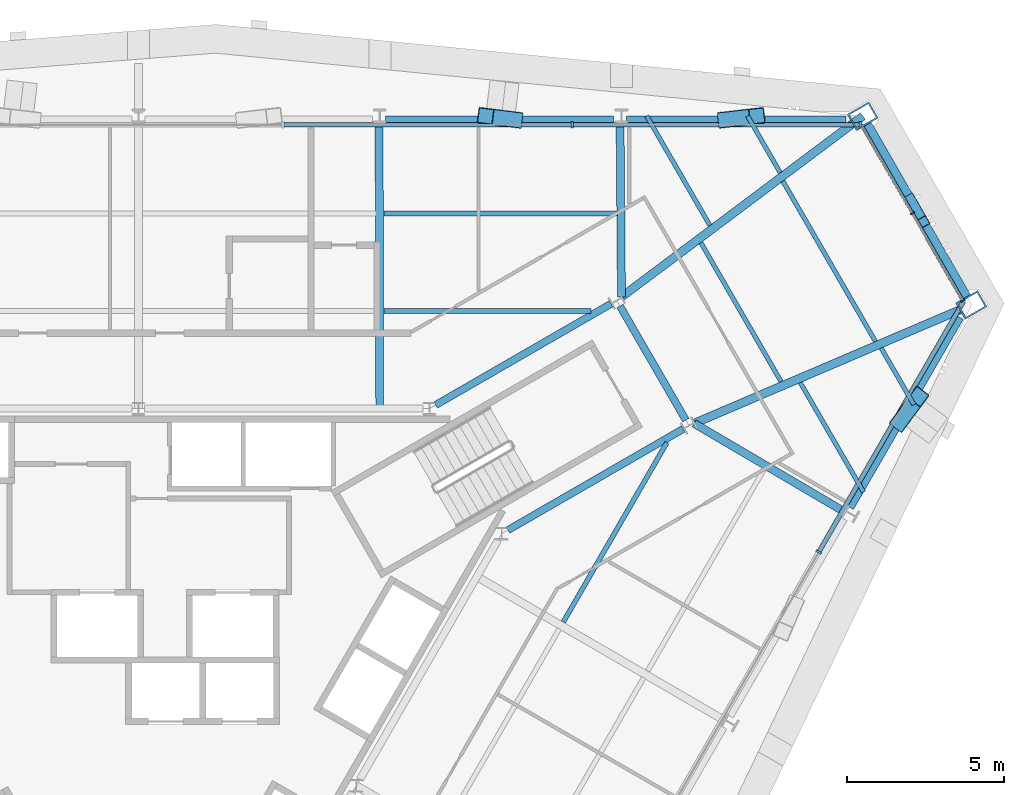
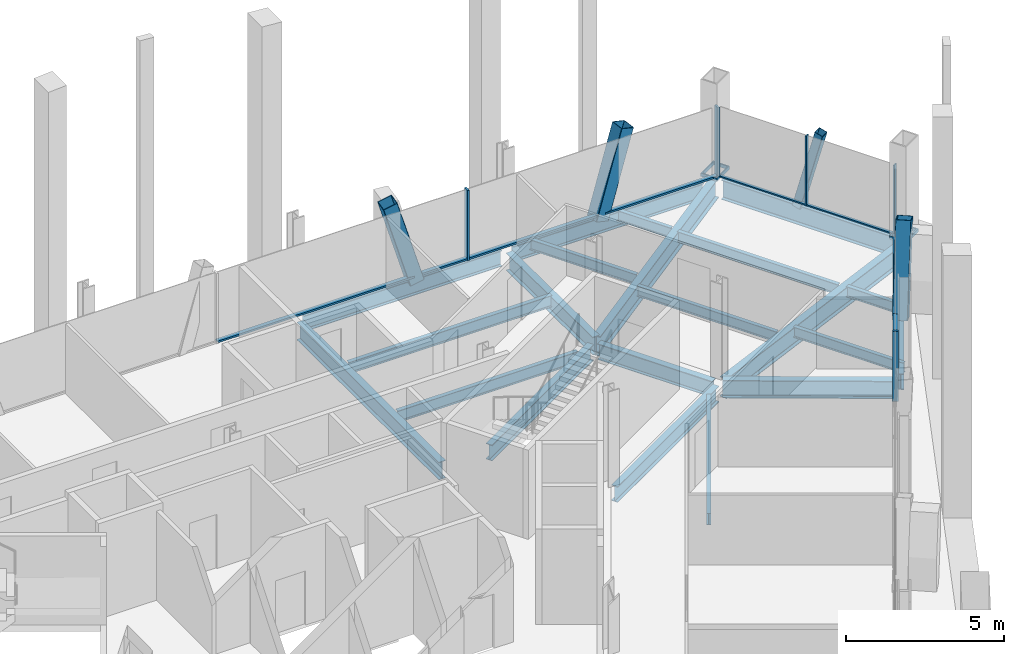
# One storey, part 6 of 13: 21 beams, 16 members, 3 elements without a shape of their own.
"""IFC4 building model written with IfcOpenShell, lengths in metres."""

from ifc_helpers import new_model, si_unit, direction, frame, origin, origin_2d, place, context, subcontext, project, spatial, rectangle, hollow_rectangle, i_section, extrude, material, material_profile, profile_set, type_object, element, aggregate, save


model = new_model("IFC4")

# Units and contexts
model_context = context("Model", 3, precision=1e-05, world=origin(), true_north=direction((0.0, 1.0)))
body_context = subcontext(model_context, "Body", "Model", "MODEL_VIEW")
ifc_project = project(units=[si_unit("LENGTHUNIT", "METRE"), si_unit("AREAUNIT", "SQUARE_METRE"), si_unit("VOLUMEUNIT", "CUBIC_METRE"), si_unit("PLANEANGLEUNIT", "RADIAN"), si_unit("MASSUNIT", "GRAM", prefix="KILO")], contexts=[model_context])

# Site, building, storey
site_placement = place(None, origin())
site = spatial("IfcSite", under=ifc_project, at=site_placement, CompositionType="ELEMENT")
building_placement = place(site_placement, origin())
building = spatial("IfcBuilding", under=site, at=building_placement, Name="Verrane Prism Tower", CompositionType="ELEMENT")
storey_placement = place(building_placement, frame((0.0, 0.0, 159.89990234375)))
storey = spatial("IfcBuildingStorey", under=building, at=storey_placement, Name="L39", CompositionType="ELEMENT", Elevation=159.89990234375)

# Member
ifc_material_1 = material(Name="Steel A500 Grade C", Category="steel")
ifc_material_profile_1 = material_profile(ifc_material_1, hollow_rectangle(XDim=0.3046875, YDim=0.3046875, WallThickness=0.0126953125, InnerFilletRadius=0.00634765625, OuterFilletRadius=0.01904296875, at=origin_2d()), Name="HSS12x12x1/2")
ifc_profile_set_1 = profile_set([ifc_material_profile_1], Name="Steel A500 Grade C")
member_type_1 = type_object("IfcMemberType", Name="Chamfer brace HSS12x12x1/2", PredefinedType="BRACE", material=ifc_profile_set_1)
member_1_placement = place(storey_placement, frame((24.572509765625, 14.66552734375, -0.242431640625), z_axis=(0.128989962567, -0.224139029072, 0.965983066727), x_axis=(0.866722399997, 0.498790819226, 0.0)))
element("IfcMember", 1, at=member_1_placement, inside=storey, type_object=member_type_1, Name="Chamfer brace NE0 L39", PredefinedType="BRACE", context=body_context, shape_type="SweptSolid", body=[
    extrude(hollow_rectangle(XDim=0.3046875, YDim=0.3046875, WallThickness=0.0126953125, InnerFilletRadius=0.00634765625, OuterFilletRadius=0.01904296875, at=origin_2d()), origin(), (0.0, 0.0, 1.0), 3.217529296875),
])

# Beams
ifc_material_2 = material(Name="Steel A992", Category="steel")
ifc_material_profile_2 = material_profile(ifc_material_2, i_section(OverallWidth=0.2666015625, OverallDepth=0.7568359375, WebThickness=0.013916015625, FlangeThickness=0.019287109375, FilletRadius=0.0166015625, at=origin_2d()), Name="W30x108")
ifc_profile_set_2 = profile_set([ifc_material_profile_2], Name="Steel A992")
beam_type_1 = type_object("IfcBeamType", Name="Chamfer spandrel beam W30x108", PredefinedType="SPANDREL", material=ifc_profile_set_2)
beam_1_placement = place(storey_placement, frame((26.3603515625, 11.56005859375, -0.538330078125), z_axis=(-0.498933745764, 0.866640131391, 0.0), x_axis=(-0.866640131391, -0.498933745764, 0.0)))
element("IfcBeam", 2, at=beam_1_placement, inside=storey, type_object=beam_type_1, Name="Chamfer spandrel beam L39", PredefinedType="SPANDREL", context=body_context, shape_type="SweptSolid", body=[
    extrude(i_section(OverallWidth=0.2666015625, OverallDepth=0.7568359375, WebThickness=0.013916015625, FlangeThickness=0.019287109375, FilletRadius=0.0166015625, at=origin_2d()), origin(), (0.0, 0.0, 1.0), 6.334716796875),
])
ifc_material_3 = material(Name="Steel A992", Category="steel")
ifc_material_profile_3 = material_profile(ifc_material_3, i_section(OverallWidth=0.23046875, OverallDepth=0.6171875, WebThickness=0.01318359375, FlangeThickness=0.022216796875, FilletRadius=0.012939453125, at=origin_2d()), Name="W24x94")
ifc_profile_set_3 = profile_set([ifc_material_profile_3], Name="Steel A992")
beam_type_2 = type_object("IfcBeamType", Name="Core ring girder W24x94", PredefinedType="BEAM", material=ifc_profile_set_3)
beam_2_placement = place(storey_placement, frame((11.7607421875, 4.1357421875, -0.55859375), z_axis=(0.866075143088, 0.499913839102, 0.0), x_axis=(-0.499913839102, 0.866075143088, 0.0)))
element("IfcBeam", 3, at=beam_2_placement, inside=storey, type_object=beam_type_2, Name="Core ring girder L39", PredefinedType="BEAM", context=body_context, shape_type="SweptSolid", body=[
    extrude(i_section(OverallWidth=0.23046875, OverallDepth=0.6171875, WebThickness=0.01318359375, FlangeThickness=0.022216796875, FilletRadius=0.012939453125, at=origin_2d()), origin(), (0.0, 0.0, 1.0), 6.441650390625),
])
beam_3_placement = place(storey_placement, frame((17.418212890625, 7.635986328125, -0.55859375), z_axis=(-0.500305747711, 0.865848808284, 0.0), x_axis=(-0.865848808284, -0.500305747711, 0.0)))
element("IfcBeam", 4, at=beam_3_placement, inside=storey, type_object=beam_type_2, Name="Core ring girder L39", PredefinedType="BEAM", context=body_context, shape_type="SweptSolid", body=[
    extrude(i_section(OverallWidth=0.23046875, OverallDepth=0.6171875, WebThickness=0.01318359375, FlangeThickness=0.022216796875, FilletRadius=0.012939453125, at=origin_2d()), origin(), (0.0, 0.0, 1.0), 4.1904296875),
])
beam_4_placement = place(storey_placement, frame((15.03955078125, 11.3359375, -0.55859375), z_axis=(-0.866075143088, -0.499913839102, 0.0), x_axis=(0.499913839102, -0.866075143088, 0.0)))
element("IfcBeam", 5, at=beam_4_placement, inside=storey, type_object=beam_type_2, Name="Core ring girder L39", PredefinedType="BEAM", context=body_context, shape_type="SweptSolid", body=[
    extrude(i_section(OverallWidth=0.23046875, OverallDepth=0.6171875, WebThickness=0.01318359375, FlangeThickness=0.022216796875, FilletRadius=0.012939453125, at=origin_2d()), origin(), (0.0, 0.0, 1.0), 6.441650390625),
])
ifc_material_4 = material(Name="Steel A992", Category="steel")
ifc_material_profile_4 = material_profile(ifc_material_4, i_section(OverallWidth=0.2666015625, OverallDepth=0.76708984375, WebThickness=0.014892578125, FlangeThickness=0.023681640625, FilletRadius=0.0166015625, at=origin_2d()), Name="W30x124")
ifc_profile_set_4 = profile_set([ifc_material_profile_4], Name="Steel A992")
beam_type_3 = type_object("IfcBeamType", Name="Corner girder W30x124", PredefinedType="BEAM", material=ifc_profile_set_4)
beam_5_placement = place(storey_placement, frame((26.139404296875, 11.1416015625, -0.603515625), z_axis=(-0.919628068882, -0.392790293827, 0.0), x_axis=(0.392790293827, -0.919628068882, 0.0)))
element("IfcBeam", 6, at=beam_5_placement, inside=storey, type_object=beam_type_3, Name="Corner girder L39", PredefinedType="BEAM", context=body_context, shape_type="SweptSolid", body=[
    extrude(i_section(OverallWidth=0.2666015625, OverallDepth=0.76708984375, WebThickness=0.014892578125, FlangeThickness=0.023681640625, FilletRadius=0.0166015625, at=origin_2d()), origin(), (0.0, 0.0, 1.0), 9.162841796875),
])
beam_6_placement = place(storey_placement, frame((23.048583984375, 17.308837890625, -0.603515625), z_axis=(-0.800128499961, -0.599828628485, 0.0), x_axis=(0.599828628485, -0.800128499961, 0.0)))
element("IfcBeam", 7, at=beam_6_placement, inside=storey, type_object=beam_type_3, Name="Corner girder L39", PredefinedType="BEAM", context=body_context, shape_type="SweptSolid", body=[
    extrude(i_section(OverallWidth=0.2666015625, OverallDepth=0.76708984375, WebThickness=0.014892578125, FlangeThickness=0.023681640625, FilletRadius=0.0166015625, at=origin_2d()), origin(), (0.0, 0.0, 1.0), 9.57421875),
])

# Members
ifc_material_5 = material(Name="Steel A500 Grade C", Category="steel")
ifc_material_profile_5 = material_profile(ifc_material_5, hollow_rectangle(XDim=0.508056640625, YDim=0.508056640625, WallThickness=0.01904296875, InnerFilletRadius=0.009521484375, OuterFilletRadius=0.028564453125, at=origin_2d()), Name="HSS20x20x3/4")
ifc_profile_set_5 = profile_set([ifc_material_profile_5], Name="Steel A500 Grade C")
member_type_2 = type_object("IfcMemberType", Name="Facade brace HSS20x20x3/4", PredefinedType="BRACE", material=ifc_profile_set_5)
member_2_placement = place(storey_placement, frame((18.685302734375, 17.194580078125, -0.216552734375), z_axis=(0.297039092557, 0.034478402645, 0.954242640655), x_axis=(-0.115299498377, 0.993330773546, 0.0)))
element("IfcMember", 8, at=member_2_placement, inside=storey, type_object=member_type_2, Name="Facade brace N0 L39", PredefinedType="BRACE", context=body_context, shape_type="SweptSolid", body=[
    extrude(hollow_rectangle(XDim=0.508056640625, YDim=0.508056640625, WallThickness=0.01904296875, InnerFilletRadius=0.009521484375, OuterFilletRadius=0.028564453125, at=origin_2d()), origin(), (0.0, 0.0, 1.0), 3.349365234375),
])
member_3_placement = place(storey_placement, frame((11.96728515625, 17.194580078125, -0.216552734375), z_axis=(-0.27623163158, 0.034703203649, 0.960464352993), x_axis=(-0.124650971775, -0.992200652709, 0.0)))
element("IfcMember", 9, at=member_3_placement, inside=storey, type_object=member_type_2, Name="Facade brace N1 L39", PredefinedType="BRACE", context=body_context, shape_type="SweptSolid", body=[
    extrude(hollow_rectangle(XDim=0.508056640625, YDim=0.508056640625, WallThickness=0.01904296875, InnerFilletRadius=0.009521484375, OuterFilletRadius=0.028564453125, at=origin_2d()), origin(), (0.0, 0.0, 1.0), 3.32763671875),
])
member_4_placement = place(storey_placement, frame((24.228515625, 7.5791015625, -0.216552734375), z_axis=(0.178168880312, 0.239769822973, 0.954340757843), x_axis=(-0.802657057238, 0.596440817236, 0.0)))
element("IfcMember", 10, at=member_4_placement, inside=storey, type_object=member_type_2, Name="Facade brace SE5 L39", PredefinedType="BRACE", context=body_context, shape_type="SweptSolid", body=[
    extrude(hollow_rectangle(XDim=0.508056640625, YDim=0.508056640625, WallThickness=0.01904296875, InnerFilletRadius=0.009521484375, OuterFilletRadius=0.028564453125, at=origin_2d()), origin(), (0.0, 0.0, 1.0), 3.348876953125),
])

# Beams
ifc_material_6 = material(Name="Steel A992", Category="steel")
ifc_material_profile_6 = material_profile(ifc_material_6, i_section(OverallWidth=0.140380859375, OverallDepth=0.40380859375, WebThickness=0.007080078125, FlangeThickness=0.01123046875, FilletRadius=0.01025390625, at=origin_2d()), Name="W16x31")
ifc_profile_set_6 = profile_set([ifc_material_profile_6], Name="Steel A992")
beam_type_4 = type_object("IfcBeamType", Name="Floor beam W16x31", PredefinedType="BEAM", material=ifc_profile_set_6)
beam_7_placement = place(storey_placement, frame((20.4228515625, 15.50634765625, -0.36181640625), z_axis=(-0.499959224157, 0.866048944448, 0.0), x_axis=(-0.866048944448, -0.499959224157, 0.0)))
element("IfcBeam", 11, at=beam_7_placement, inside=storey, type_object=beam_type_4, Name="Floor beam L39", PredefinedType="BEAM", context=body_context, shape_type="SweptSolid", body=[
    extrude(i_section(OverallWidth=0.140380859375, OverallDepth=0.40380859375, WebThickness=0.007080078125, FlangeThickness=0.01123046875, FilletRadius=0.01025390625, at=origin_2d()), origin(), (0.0, 0.0, 1.0), 2.082763671875),
])
beam_8_placement = place(storey_placement, frame((18.18505859375, 13.828125, -0.36181640625), z_axis=(-0.499992278798, 0.866029861576, 0.0), x_axis=(-0.866029861576, -0.499992278798, 0.0)))
element("IfcBeam", 12, at=beam_8_placement, inside=storey, type_object=beam_type_4, Name="Floor beam L39", PredefinedType="BEAM", context=body_context, shape_type="SweptSolid", body=[
    extrude(i_section(OverallWidth=0.140380859375, OverallDepth=0.40380859375, WebThickness=0.007080078125, FlangeThickness=0.01123046875, FilletRadius=0.01025390625, at=origin_2d()), origin(), (0.0, 0.0, 1.0), 4.0205078125),
])
beam_9_placement = place(storey_placement, frame((24.67529296875, 8.122802734375, -0.36181640625), z_axis=(-0.499945637019, 0.866056787991, 0.0), x_axis=(-0.866056787991, -0.499945637019, 0.0)))
element("IfcBeam", 13, at=beam_9_placement, inside=storey, type_object=beam_type_4, Name="Floor beam L39", PredefinedType="BEAM", context=body_context, shape_type="SweptSolid", body=[
    extrude(i_section(OverallWidth=0.140380859375, OverallDepth=0.40380859375, WebThickness=0.007080078125, FlangeThickness=0.01123046875, FilletRadius=0.01025390625, at=origin_2d()), origin(), (0.0, 0.0, 1.0), 2.083251953125),
])
beam_10_placement = place(storey_placement, frame((23.07177734375, 5.345703125, -0.36181640625), z_axis=(-0.500004480819, 0.866022816767, 0.0), x_axis=(-0.866022816767, -0.500004480819, 0.0)))
element("IfcBeam", 14, at=beam_10_placement, inside=storey, type_object=beam_type_4, Name="Floor beam L39", PredefinedType="BEAM", context=body_context, shape_type="SweptSolid", body=[
    extrude(i_section(OverallWidth=0.140380859375, OverallDepth=0.40380859375, WebThickness=0.007080078125, FlangeThickness=0.01123046875, FilletRadius=0.01025390625, at=origin_2d()), origin(), (0.0, 0.0, 1.0), 4.021484375),
])
beam_11_placement = place(storey_placement, frame((23.450439453125, 10.138916015625, -0.36181640625), z_axis=(-0.499984561422, 0.866034317068, 0.0), x_axis=(-0.866034317068, -0.499984561422, 0.0)))
element("IfcBeam", 15, at=beam_11_placement, inside=storey, type_object=beam_type_4, Name="Floor beam L39", PredefinedType="BEAM", context=body_context, shape_type="SweptSolid", body=[
    extrude(i_section(OverallWidth=0.140380859375, OverallDepth=0.40380859375, WebThickness=0.007080078125, FlangeThickness=0.01123046875, FilletRadius=0.01025390625, at=origin_2d()), origin(), (0.0, 0.0, 1.0), 5.885986328125),
])
beam_12_placement = place(storey_placement, frame((20.450439453125, 8.85791015625, -0.36181640625), z_axis=(-0.499991534382, 0.866030291356, 0.0), x_axis=(-0.866030291356, -0.499991534382, 0.0)))
element("IfcBeam", 16, at=beam_12_placement, inside=storey, type_object=beam_type_4, Name="Floor beam L39", PredefinedType="BEAM", context=body_context, shape_type="SweptSolid", body=[
    extrude(i_section(OverallWidth=0.140380859375, OverallDepth=0.40380859375, WebThickness=0.007080078125, FlangeThickness=0.01123046875, FilletRadius=0.01025390625, at=origin_2d()), origin(), (0.0, 0.0, 1.0), 5.10498046875),
])
ifc_material_7 = material(Name="Steel A992", Category="steel")
ifc_material_profile_7 = material_profile(ifc_material_7, i_section(OverallWidth=0.15234375, OverallDepth=0.449462890625, WebThickness=0.007568359375, FlangeThickness=0.0107421875, FilletRadius=0.01025390625, at=origin_2d()), Name="W18x35")
ifc_profile_set_7 = profile_set([ifc_material_profile_7], Name="Steel A992")
beam_type_5 = type_object("IfcBeamType", Name="Floor beam W18x35", PredefinedType="BEAM", material=ifc_profile_set_7)
beam_13_placement = place(storey_placement, frame((7.806884765625, 11.103271484375, -0.384765625), z_axis=(1.0, 0.0, 0.0), x_axis=(0.0, 1.0, 0.0)))
element("IfcBeam", 17, at=beam_13_placement, inside=storey, type_object=beam_type_5, Name="Floor beam L39", PredefinedType="BEAM", context=body_context, shape_type="SweptSolid", body=[
    extrude(i_section(OverallWidth=0.15234375, OverallDepth=0.449462890625, WebThickness=0.007568359375, FlangeThickness=0.0107421875, FilletRadius=0.01025390625, at=origin_2d()), origin(), (0.0, 0.0, 1.0), 6.599853515625),
])
beam_14_placement = place(storey_placement, frame((7.806884765625, 14.206787109375, -0.384765625), z_axis=(1.0, 0.0, 0.0), x_axis=(0.0, 1.0, 0.0)))
element("IfcBeam", 18, at=beam_14_placement, inside=storey, type_object=beam_type_5, Name="Floor beam L39", PredefinedType="BEAM", context=body_context, shape_type="SweptSolid", body=[
    extrude(i_section(OverallWidth=0.15234375, OverallDepth=0.449462890625, WebThickness=0.007568359375, FlangeThickness=0.0107421875, FilletRadius=0.01025390625, at=origin_2d()), origin(), (0.0, 0.0, 1.0), 7.43603515625),
])
beam_15_placement = place(storey_placement, frame((13.519775390625, 1.210205078125, -0.384765625), z_axis=(0.500012988063, 0.866017904993, 0.0), x_axis=(-0.866017904993, 0.500012988063, 0.0)))
element("IfcBeam", 19, at=beam_15_placement, inside=storey, type_object=beam_type_5, Name="Floor beam L39", PredefinedType="BEAM", context=body_context, shape_type="SweptSolid", body=[
    extrude(i_section(OverallWidth=0.15234375, OverallDepth=0.449462890625, WebThickness=0.007568359375, FlangeThickness=0.0107421875, FilletRadius=0.01025390625, at=origin_2d()), origin(), (0.0, 0.0, 1.0), 6.594970703125),
])

# Members
ifc_material_8 = material(Name="Steel A572 Grade 50", Category="steel")
ifc_material_profile_8 = material_profile(ifc_material_8, hollow_rectangle(XDim=0.60009765625, YDim=0.800048828125, WallThickness=0.050048828125, at=origin_2d()), Name="BOX 800x600x50")
ifc_profile_set_8 = profile_set([ifc_material_profile_8], Name="Steel A572 Grade 50")
member_type_3 = type_object("IfcMemberType", Name="Kink node BOX 800x600x50", PredefinedType="COLLAR", material=ifc_profile_set_8)
for number, where, z_axis, x_axis, name in (
    (20, (26.5029296875, 11.300048828125, -0.06494140625), (0.0, 0.0, 1.0), (0.5, -0.866025403784, 0.0), "Kink node MC4 L39"),
    (21, (23.04638671875, 17.3037109375, -0.06494140625), (0.0, 0.0, 1.0), (0.5, -0.866025403784, 0.0), "Kink node MC4 L39"),
):
    element("IfcMember", number, at=place(storey_placement, frame(where, z_axis=z_axis, x_axis=x_axis)), inside=storey, type_object=member_type_3, Name=name, PredefinedType="COLLAR", context=body_context, shape_type="SweptSolid", body=[
        extrude(hollow_rectangle(XDim=0.60009765625, YDim=0.800048828125, WallThickness=0.050048828125, at=origin_2d()), origin(), (0.0, 0.0, 1.0), 0.130126953125),
    ])

# Curtain wall, members
ifc_material_9 = material(Name="Aluminium framed insulated glazing", Category="aluminium")
curtain_wall_type_1 = type_object("IfcCurtainWallType", Name="Curtain wall CW-C 4200 module", PredefinedType="NOTDEFINED", material=ifc_material_9)
curtain_wall_1_placement = place(storey_placement, origin())
curtain_wall_1 = element("IfcCurtainWall", 22, at=curtain_wall_1_placement, inside=storey, type_object=curtain_wall_type_1, Name="Glazed curtain wall north-east corner L39", PredefinedType="NOTDEFINED")
ifc_material_10 = material(Name="Aluminium alloy 6063-T6", Category="aluminium")
ifc_material_profile_9 = material_profile(ifc_material_10, rectangle(XDim=0.139892578125, YDim=0.050048828125, at=origin_2d()), Name="Mullion 50x140 aluminium")
ifc_profile_set_9 = profile_set([ifc_material_profile_9], Name="Aluminium alloy 6063-T6")
member_type_4 = type_object("IfcMemberType", Name="Mullion 50x140 aluminium", PredefinedType="MULLION", material=ifc_profile_set_9)
member_5_placement = place(storey_placement, frame((26.23876953125, 11.42822265625, 0.0), z_axis=(0.0, 0.0, 1.0), x_axis=(-0.866021993679, -0.50000590643, 0.0)))
member_5 = element("IfcMember", 23, at=member_5_placement, type_object=member_type_4, Name="CW39.1 mullion 1", PredefinedType="MULLION", context=body_context, shape_type="SweptSolid", body=[
    extrude(rectangle(XDim=0.139892578125, YDim=0.050048828125, at=origin_2d()), origin(), (0.0, 0.0, 1.0), 2.712890625),
])
member_6_placement = place(storey_placement, frame((24.627685546875, 14.21875, 0.0), z_axis=(0.0, 0.0, 1.0), x_axis=(-0.866021993679, -0.50000590643, 0.0)))
member_6 = element("IfcMember", 24, at=member_6_placement, type_object=member_type_4, Name="CW39.1 mullion 2", PredefinedType="MULLION", context=body_context, shape_type="SweptSolid", body=[
    extrude(rectangle(XDim=0.139892578125, YDim=0.050048828125, at=origin_2d()), origin(), (0.0, 0.0, 1.0), 2.712890625),
])

ifc_material_11 = material(Name="Aluminium framed insulated glazing", Category="aluminium")
curtain_wall_type_2 = type_object("IfcCurtainWallType", Name="Curtain wall CW-A 8400 module", PredefinedType="NOTDEFINED", material=ifc_material_11)
curtain_wall_2_placement = place(storey_placement, origin())
curtain_wall_2 = element("IfcCurtainWall", 25, at=curtain_wall_2_placement, inside=storey, type_object=curtain_wall_type_2, Name="Glazed curtain wall north face L39", PredefinedType="NOTDEFINED")
ifc_material_12 = material(Name="Aluminium alloy 6063-T6", Category="aluminium")
ifc_material_profile_10 = material_profile(ifc_material_12, rectangle(XDim=0.199951171875, YDim=0.070068359375, at=origin_2d()), Name="Mullion 70x200 aluminium")
ifc_profile_set_10 = profile_set([ifc_material_profile_10], Name="Aluminium alloy 6063-T6")
member_type_5 = type_object("IfcMemberType", Name="Mullion 70x200 aluminium", PredefinedType="MULLION", material=ifc_profile_set_10)
member_7_placement = place(storey_placement, frame((22.968994140625, 17.031005859375, 0.0), z_axis=(0.0, 0.0, 1.0), x_axis=(0.0, -1.0, 0.0)))
member_7 = element("IfcMember", 26, at=member_7_placement, type_object=member_type_5, Name="CW39.2 mullion 1", PredefinedType="MULLION", context=body_context, shape_type="SweptSolid", body=[
    extrude(rectangle(XDim=0.199951171875, YDim=0.070068359375, at=origin_2d()), origin(), (0.0, 0.0, 1.0), 2.712890625),
])
member_8_placement = place(storey_placement, frame((13.802490234375, 17.031005859375, 0.0), z_axis=(0.0, 0.0, 1.0), x_axis=(0.0, -1.0, 0.0)))
member_8 = element("IfcMember", 27, at=member_8_placement, type_object=member_type_5, Name="CW39.2 mullion 2", PredefinedType="MULLION", context=body_context, shape_type="SweptSolid", body=[
    extrude(rectangle(XDim=0.199951171875, YDim=0.070068359375, at=origin_2d()), origin(), (0.0, 0.0, 1.0), 2.712890625),
])

# Curtain wall, member
curtain_wall_3_placement = place(storey_placement, origin())
curtain_wall_3 = element("IfcCurtainWall", 28, at=curtain_wall_3_placement, inside=storey, type_object=curtain_wall_type_2, Name="Glazed curtain wall south-east face L39", PredefinedType="NOTDEFINED")
member_9_placement = place(storey_placement, frame((21.650390625, 3.437744140625, 0.0), z_axis=(0.0, 0.0, 1.0), x_axis=(-0.86602596468, 0.499999028499, 0.0)))
member_9 = element("IfcMember", 29, at=member_9_placement, type_object=member_type_5, Name="CW39.6 mullion 5", PredefinedType="MULLION", context=body_context, shape_type="SweptSolid", body=[
    extrude(rectangle(XDim=0.199951171875, YDim=0.070068359375, at=origin_2d()), origin(), (0.0, 0.0, 1.0), 2.712890625),
])

# Beams
ifc_material_13 = material(Name="Steel A992", Category="steel")
ifc_material_profile_11 = material_profile(ifc_material_13, i_section(OverallWidth=0.25390625, OverallDepth=0.683349609375, WebThickness=0.012451171875, FlangeThickness=0.01904296875, FilletRadius=0.01513671875, at=origin_2d()), Name="W27x94")
ifc_profile_set_11 = profile_set([ifc_material_profile_11], Name="Steel A992")
beam_type_6 = type_object("IfcBeamType", Name="Radial girder W27x94", PredefinedType="BEAM", material=ifc_profile_set_11)
beam_16_placement = place(storey_placement, frame((15.3271484375, 16.977294921875, -0.5615234375), z_axis=(0.00792054362, -0.999968632002, 0.0), x_axis=(0.999968632002, 0.00792054362, 0.0)))
element("IfcBeam", 30, at=beam_16_placement, inside=storey, type_object=beam_type_6, Name="Radial girder L39", PredefinedType="BEAM", context=body_context, shape_type="SweptSolid", body=[
    extrude(i_section(OverallWidth=0.25390625, OverallDepth=0.683349609375, WebThickness=0.012451171875, FlangeThickness=0.01904296875, FilletRadius=0.01513671875, at=origin_2d()), origin(), (0.0, 0.0, 1.0), 5.425048828125),
])
beam_17_placement = place(storey_placement, frame((7.6591796875, 16.977294921875, -0.5615234375), z_axis=(0.002311598077, -0.999997328254, 0.0), x_axis=(0.999997328254, 0.002311598077, 0.0)))
element("IfcBeam", 31, at=beam_17_placement, inside=storey, type_object=beam_type_6, Name="Radial girder L39", PredefinedType="BEAM", context=body_context, shape_type="SweptSolid", body=[
    extrude(i_section(OverallWidth=0.25390625, OverallDepth=0.683349609375, WebThickness=0.012451171875, FlangeThickness=0.01904296875, FilletRadius=0.01513671875, at=origin_2d()), origin(), (0.0, 0.0, 1.0), 8.977294921875),
])
beam_18_placement = place(storey_placement, frame((22.36083984375, 4.77978515625, -0.5615234375), z_axis=(-0.862106493729, 0.50672713907, 0.0), x_axis=(-0.50672713907, -0.862106493729, 0.0)))
element("IfcBeam", 32, at=beam_18_placement, inside=storey, type_object=beam_type_6, Name="Radial girder L39", PredefinedType="BEAM", context=body_context, shape_type="SweptSolid", body=[
    extrude(i_section(OverallWidth=0.25390625, OverallDepth=0.683349609375, WebThickness=0.012451171875, FlangeThickness=0.01904296875, FilletRadius=0.01513671875, at=origin_2d()), origin(), (0.0, 0.0, 1.0), 5.426513671875),
])
ifc_material_14 = material(Name="Steel A992", Category="steel")
ifc_material_profile_12 = material_profile(ifc_material_14, i_section(OverallWidth=0.23046875, OverallDepth=0.6171875, WebThickness=0.01318359375, FlangeThickness=0.022216796875, FilletRadius=0.012939453125, at=origin_2d()), Name="W24x94")
ifc_profile_set_12 = profile_set([ifc_material_profile_12], Name="Steel A992")
beam_type_7 = type_object("IfcBeamType", Name="Spandrel beam W24x94", PredefinedType="SPANDREL", material=ifc_profile_set_12)
beam_19_placement = place(storey_placement, frame((22.5205078125, 17.194580078125, -0.468505859375), z_axis=(-1.0, 0.0, 0.0), x_axis=(0.0, -1.0, 0.0)))
element("IfcBeam", 33, at=beam_19_placement, inside=storey, type_object=beam_type_7, Name="Spandrel beam L39", PredefinedType="SPANDREL", context=body_context, shape_type="SweptSolid", body=[
    extrude(i_section(OverallWidth=0.23046875, OverallDepth=0.6171875, WebThickness=0.01318359375, FlangeThickness=0.022216796875, FilletRadius=0.012939453125, at=origin_2d()), origin(), (0.0, 0.0, 1.0), 6.9892578125),
])
beam_20_placement = place(storey_placement, frame((15.119873046875, 17.194580078125, -0.468505859375), z_axis=(-1.0, 0.0, 0.0), x_axis=(0.0, -1.0, 0.0)))
element("IfcBeam", 34, at=beam_20_placement, inside=storey, type_object=beam_type_7, Name="Spandrel beam L39", PredefinedType="SPANDREL", context=body_context, shape_type="SweptSolid", body=[
    extrude(i_section(OverallWidth=0.23046875, OverallDepth=0.6171875, WebThickness=0.01318359375, FlangeThickness=0.022216796875, FilletRadius=0.012939453125, at=origin_2d()), origin(), (0.0, 0.0, 1.0), 7.255615234375),
])
beam_21_placement = place(storey_placement, frame((22.65087890625, 4.847900390625, -0.468505859375), z_axis=(0.500196122742, 0.865912142653, 0.0), x_axis=(-0.865912142653, 0.500196122742, 0.0)))
element("IfcBeam", 35, at=beam_21_placement, inside=storey, type_object=beam_type_7, Name="Spandrel beam L39", PredefinedType="SPANDREL", context=body_context, shape_type="SweptSolid", body=[
    extrude(i_section(OverallWidth=0.23046875, OverallDepth=0.6171875, WebThickness=0.01318359375, FlangeThickness=0.022216796875, FilletRadius=0.012939453125, at=origin_2d()), origin(), (0.0, 0.0, 1.0), 6.989501953125),
])

# Member
ifc_material_15 = material(Name="Aluminium alloy 6063-T6", Category="aluminium")
ifc_material_profile_13 = material_profile(ifc_material_15, rectangle(XDim=0.10009765625, YDim=0.050048828125, at=origin_2d()), Name="Transom 50x100 aluminium")
ifc_profile_set_13 = profile_set([ifc_material_profile_13], Name="Aluminium alloy 6063-T6")
member_type_6 = type_object("IfcMemberType", Name="Transom 50x100 aluminium", PredefinedType="USERDEFINED", material=ifc_profile_set_13)
member_10_placement = place(storey_placement, frame((26.226318359375, 11.449951171875, 0.025146484375), z_axis=(-0.500004468681, 0.866022823775, 0.0), x_axis=(-0.866022823775, -0.500004468681, 0.0)))
member_10 = element("IfcMember", 36, at=member_10_placement, type_object=member_type_6, Name="CW39.1 transom 1", ObjectType="TRANSOM", PredefinedType="USERDEFINED", context=body_context, shape_type="SweptSolid", body=[
    extrude(rectangle(XDim=0.10009765625, YDim=0.050048828125, at=origin_2d()), origin(), (0.0, 0.0, 1.0), 3.17236328125),
])

member_11_placement = place(storey_placement, frame((24.615234375, 14.240478515625, 0.025146484375), z_axis=(-0.50005036918, 0.865996321171, 0.0), x_axis=(-0.865996321171, -0.50005036918, 0.0)))
member_11 = element("IfcMember", 37, at=member_11_placement, type_object=member_type_6, Name="CW39.1 transom 2", ObjectType="TRANSOM", PredefinedType="USERDEFINED", context=body_context, shape_type="SweptSolid", body=[
    extrude(rectangle(XDim=0.10009765625, YDim=0.050048828125, at=origin_2d()), origin(), (0.0, 0.0, 1.0), 3.222412109375),
])

aggregate(curtain_wall_1, [member_5, member_6, member_10, member_11])

ifc_material_16 = material(Name="Aluminium alloy 6063-T6", Category="aluminium")
ifc_material_profile_14 = material_profile(ifc_material_16, rectangle(XDim=0.14990234375, YDim=0.070068359375, at=origin_2d()), Name="Transom 70x150 aluminium")
ifc_profile_set_14 = profile_set([ifc_material_profile_14], Name="Aluminium alloy 6063-T6")
member_type_7 = type_object("IfcMemberType", Name="Transom 70x150 aluminium", PredefinedType="USERDEFINED", material=ifc_profile_set_14)
member_12_placement = place(storey_placement, frame((22.93408203125, 17.031005859375, 0.03515625), z_axis=(-1.0, 0.0, 0.0), x_axis=(0.0, -1.0, 0.0)))
member_12 = element("IfcMember", 38, at=member_12_placement, type_object=member_type_7, Name="CW39.2 transom 1", ObjectType="TRANSOM", PredefinedType="USERDEFINED", context=body_context, shape_type="SweptSolid", body=[
    extrude(rectangle(XDim=0.14990234375, YDim=0.070068359375, at=origin_2d()), origin(), (0.0, 0.0, 1.0), 9.0966796875),
])

member_13_placement = place(storey_placement, frame((13.767333984375, 17.031005859375, 0.03515625), z_axis=(-1.0, 0.0, 0.0), x_axis=(0.0, -1.0, 0.0)))
member_13 = element("IfcMember", 39, at=member_13_placement, type_object=member_type_7, Name="CW39.2 transom 2", ObjectType="TRANSOM", PredefinedType="USERDEFINED", context=body_context, shape_type="SweptSolid", body=[
    extrude(rectangle(XDim=0.14990234375, YDim=0.070068359375, at=origin_2d()), origin(), (0.0, 0.0, 1.0), 9.131591796875),
])

aggregate(curtain_wall_2, [member_7, member_8, member_12, member_13])

member_14_placement = place(storey_placement, frame((21.66796875, 3.468017578125, 0.03515625), z_axis=(0.499997575924, 0.866026803321, 0.0), x_axis=(-0.866026803321, 0.499997575924, 0.0)))
member_14 = element("IfcMember", 40, at=member_14_placement, type_object=member_type_7, Name="CW39.6 transom 5", ObjectType="TRANSOM", PredefinedType="USERDEFINED", context=body_context, shape_type="SweptSolid", body=[
    extrude(rectangle(XDim=0.14990234375, YDim=0.070068359375, at=origin_2d()), origin(), (0.0, 0.0, 1.0), 9.16650390625),
])

aggregate(curtain_wall_3, [member_9, member_14])

save(model, "model.ifc")
